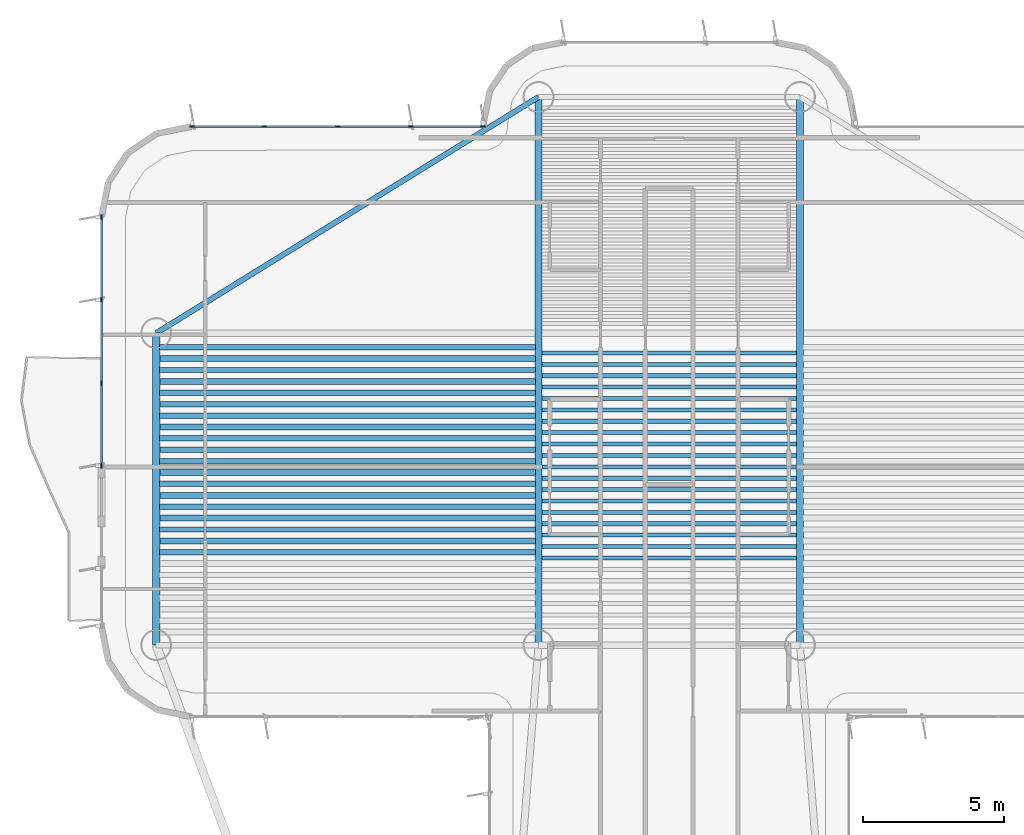
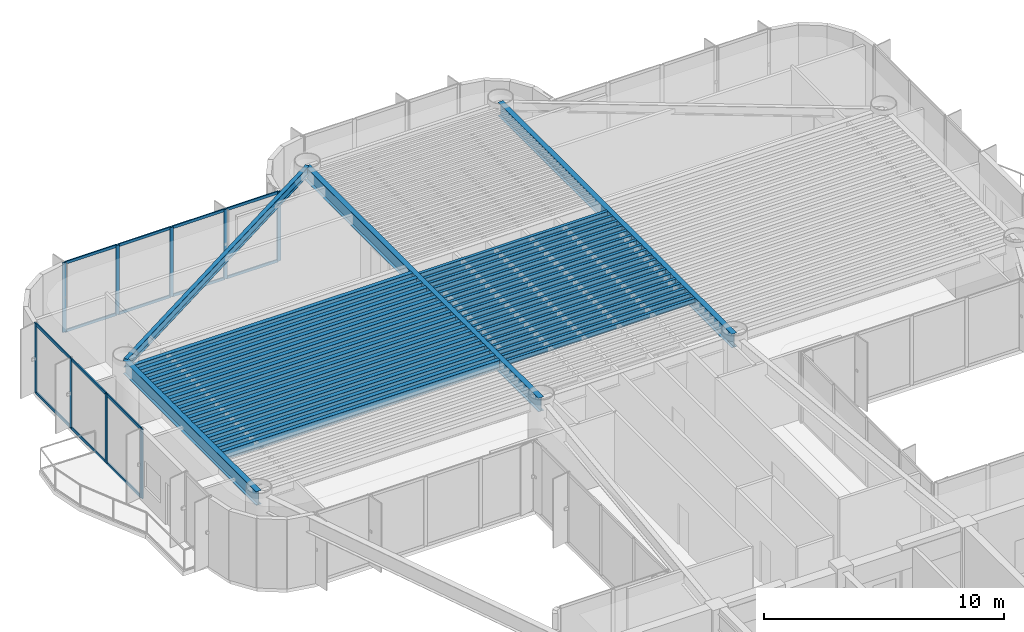
# One storey, part 5 of 15: 42 beams, 23 members, 2 elements without a shape of their own.
"""IFC4 building model written with IfcOpenShell, lengths in metres."""

from ifc_helpers import new_model, si_unit, direction, frame, origin, origin_2d, place, context, subcontext, project, spatial, rectangle, i_section, extrude, source, transform, mapped, material, layer, layer_set, material_profile, profile_set, type_object, element, aggregate, save


model = new_model("IFC4")

# Units and contexts
model_context = context("Model", 3, precision=1e-05, world=origin(), true_north=direction((0.0, 1.0)))
body_context = subcontext(model_context, "Body", "Model", "MODEL_VIEW")
ifc_project = project(units=[si_unit("LENGTHUNIT", "METRE"), si_unit("AREAUNIT", "SQUARE_METRE"), si_unit("VOLUMEUNIT", "CUBIC_METRE"), si_unit("PLANEANGLEUNIT", "RADIAN"), si_unit("MASSUNIT", "GRAM", prefix="KILO")], contexts=[model_context])

# Site, building, storey
site_placement = place(None, origin())
site = spatial("IfcSite", under=ifc_project, at=site_placement, CompositionType="ELEMENT")
building_placement = place(site_placement, origin())
building = spatial("IfcBuilding", under=site, at=building_placement, Name="Brelvock Crest Care Tower", CompositionType="ELEMENT")
storey_placement = place(building_placement, frame((0.0, 0.0, 160.199951171875)))
storey = spatial("IfcBuildingStorey", under=building, at=storey_placement, Name="L40", CompositionType="ELEMENT", Elevation=160.199951171875)

# Beams
ifc_material_1 = material(Name="Steel Grade 350", Category="steel")
ifc_material_profile_1 = material_profile(ifc_material_1, i_section(OverallWidth=0.14599609375, OverallDepth=0.256103515625, WebThickness=0.00634765625, FlangeThickness=0.010986328125, FilletRadius=0.0087890625, at=origin_2d()), Name="250UB37.3")
ifc_profile_set_1 = profile_set([ifc_material_profile_1], Name="Steel Grade 350")
beam_type_1 = type_object("IfcBeamType", Name="BM-J3", PredefinedType="JOIST", material=ifc_profile_set_1)
shared_shape_1 = source(origin(), body_context, "Body", "SweptSolid", [
    extrude(i_section(OverallWidth=0.14599609375, OverallDepth=0.256103515625, WebThickness=0.00634765625, FlangeThickness=0.010986328125, FilletRadius=0.0087890625, at=origin_2d()), origin(), (0.0, 0.0, 1.0), 9.06982421875),
])
for number, where, z_axis, x_axis, name in (
    (1, (31.465087890625, 38.0498046875, 3.402099609375), (1.0, 0.0, 0.0), (0.0, 1.0, 0.0), "BM-JH-L40-7"),
    (2, (31.465087890625, 38.454833984375, 3.402099609375), (1.0, 0.0, 0.0), (0.0, 1.0, 0.0), "BM-JH-L40-8"),
    (3, (31.465087890625, 38.860107421875, 3.402099609375), (1.0, 0.0, 0.0), (0.0, 1.0, 0.0), "BM-JH-L40-9"),
    (4, (31.465087890625, 39.26513671875, 3.402099609375), (1.0, 0.0, 0.0), (0.0, 1.0, 0.0), "BM-JH-L40-10"),
    (5, (31.465087890625, 39.67041015625, 3.402099609375), (1.0, 0.0, 0.0), (0.0, 1.0, 0.0), "BM-JH-L40-11"),
    (6, (31.465087890625, 40.075439453125, 3.402099609375), (1.0, 0.0, 0.0), (0.0, 1.0, 0.0), "BM-JH-L40-12"),
    (7, (31.465087890625, 40.480712890625, 3.402099609375), (1.0, 0.0, 0.0), (0.0, 1.0, 0.0), "BM-JH-L40-13"),
    (8, (31.465087890625, 40.8857421875, 3.402099609375), (1.0, 0.0, 0.0), (0.0, 1.0, 0.0), "BM-JH-L40-14"),
    (9, (31.465087890625, 41.291015625, 3.402099609375), (1.0, 0.0, 0.0), (0.0, 1.0, 0.0), "BM-JH-L40-15"),
    (10, (31.465087890625, 41.696044921875, 3.402099609375), (1.0, 0.0, 0.0), (0.0, 1.0, 0.0), "BM-JH-L40-16"),
    (11, (31.465087890625, 42.101318359375, 3.402099609375), (1.0, 0.0, 0.0), (0.0, 1.0, 0.0), "BM-JH-L40-17"),
    (12, (31.465087890625, 42.50634765625, 3.402099609375), (1.0, 0.0, 0.0), (0.0, 1.0, 0.0), "BM-JH-L40-18"),
    (13, (31.465087890625, 42.91162109375, 3.402099609375), (1.0, 0.0, 0.0), (0.0, 1.0, 0.0), "BM-JH-L40-19"),
    (14, (31.465087890625, 43.316650390625, 3.402099609375), (1.0, 0.0, 0.0), (0.0, 1.0, 0.0), "BM-JH-L40-20"),
    (15, (31.465087890625, 43.7216796875, 3.402099609375), (1.0, 0.0, 0.0), (0.0, 1.0, 0.0), "BM-JH-L40-21"),
    (16, (31.465087890625, 44.126953125, 3.402099609375), (1.0, 0.0, 0.0), (0.0, 1.0, 0.0), "BM-JH-L40-22"),
    (17, (31.465087890625, 44.531982421875, 3.402099609375), (1.0, 0.0, 0.0), (0.0, 1.0, 0.0), "BM-JH-L40-23"),
    (18, (31.465087890625, 44.937255859375, 3.402099609375), (1.0, 0.0, 0.0), (0.0, 1.0, 0.0), "BM-JH-L40-24"),
    (19, (31.465087890625, 45.34228515625, 3.402099609375), (1.0, 0.0, 0.0), (0.0, 1.0, 0.0), "BM-JH-L40-25"),
):
    element("IfcBeam", number, at=place(storey_placement, frame(where, z_axis=z_axis, x_axis=x_axis)), inside=storey, type_object=beam_type_1, Name=name, PredefinedType="JOIST", context=body_context, shape_type="MappedRepresentation", body=[
        mapped(shared_shape_1, transform((0.0, 0.0, 0.0), x_axis=(1.0, 0.0, 0.0), y_axis=(0.0, 1.0, 0.0), z_axis=(0.0, 0.0, 1.0), scale=1.0)),
    ])
ifc_material_profile_2 = material_profile(ifc_material_1, i_section(OverallWidth=0.208984375, OverallDepth=0.532958984375, WebThickness=0.01025390625, FlangeThickness=0.015625, FilletRadius=0.013916015625, at=origin_2d()), Name="530UB92.4")
ifc_profile_set_2 = profile_set([ifc_material_profile_2], Name="Steel Grade 350")
beam_type_2 = type_object("IfcBeamType", Name="BM-G2", PredefinedType="BEAM", material=ifc_profile_set_2)
shared_shape_2 = source(origin(), body_context, "Body", "SweptSolid", [
    extrude(i_section(OverallWidth=0.208984375, OverallDepth=0.532958984375, WebThickness=0.01025390625, FlangeThickness=0.015625, FilletRadius=0.013916015625, at=origin_2d()), origin(), (0.0, 0.0, 1.0), 13.3701171875),
])
for number, where, z_axis, x_axis, name in (
    (20, (17.864990234375, 38.657470703125, 3.263427734375), (1.0, 0.0, 0.0), (0.0, 1.0, 0.0), "BM-JW-L40-9"),
    (21, (17.864990234375, 39.4677734375, 3.263427734375), (1.0, 0.0, 0.0), (0.0, 1.0, 0.0), "BM-JW-L40-11"),
    (22, (17.864990234375, 40.278076171875, 3.263427734375), (1.0, 0.0, 0.0), (0.0, 1.0, 0.0), "BM-JW-L40-13"),
    (23, (17.864990234375, 41.08837890625, 3.263427734375), (1.0, 0.0, 0.0), (0.0, 1.0, 0.0), "BM-JW-L40-15"),
    (24, (17.864990234375, 41.898681640625, 3.263427734375), (1.0, 0.0, 0.0), (0.0, 1.0, 0.0), "BM-JW-L40-17"),
    (25, (17.864990234375, 42.708984375, 3.263427734375), (1.0, 0.0, 0.0), (0.0, 1.0, 0.0), "BM-JW-L40-19"),
    (26, (17.864990234375, 43.519287109375, 3.263427734375), (1.0, 0.0, 0.0), (0.0, 1.0, 0.0), "BM-JW-L40-21"),
    (27, (17.864990234375, 44.32958984375, 3.263427734375), (1.0, 0.0, 0.0), (0.0, 1.0, 0.0), "BM-JW-L40-23"),
    (28, (17.864990234375, 45.139892578125, 3.263427734375), (1.0, 0.0, 0.0), (0.0, 1.0, 0.0), "BM-JW-L40-25"),
):
    element("IfcBeam", number, at=place(storey_placement, frame(where, z_axis=z_axis, x_axis=x_axis)), inside=storey, type_object=beam_type_2, Name=name, PredefinedType="BEAM", context=body_context, shape_type="MappedRepresentation", body=[
        mapped(shared_shape_2, transform((0.0, 0.0, 0.0), x_axis=(1.0, 0.0, 0.0), y_axis=(0.0, 1.0, 0.0), z_axis=(0.0, 0.0, 1.0), scale=1.0)),
    ])
ifc_material_profile_3 = material_profile(ifc_material_1, i_section(OverallWidth=0.19091796875, OverallDepth=0.4599609375, WebThickness=0.010009765625, FlangeThickness=0.01611328125, FilletRadius=0.011474609375, at=origin_2d()), Name="460UB82.1")
ifc_profile_set_3 = profile_set([ifc_material_profile_3], Name="Steel Grade 350")
beam_type_3 = type_object("IfcBeamType", Name="BM-G3", PredefinedType="BEAM", material=ifc_profile_set_3)
shared_shape_3 = source(origin(), body_context, "Body", "SweptSolid", [
    extrude(i_section(OverallWidth=0.19091796875, OverallDepth=0.4599609375, WebThickness=0.010009765625, FlangeThickness=0.01611328125, FilletRadius=0.011474609375, at=origin_2d()), origin(), (0.0, 0.0, 1.0), 13.3701171875),
])
for number, where, z_axis, x_axis, name in (
    (29, (17.864990234375, 38.252197265625, 3.300048828125), (1.0, 0.0, 0.0), (0.0, 1.0, 0.0), "BM-JW-L40-8"),
    (30, (17.864990234375, 39.0625, 3.300048828125), (1.0, 0.0, 0.0), (0.0, 1.0, 0.0), "BM-JW-L40-10"),
    (31, (17.864990234375, 39.872802734375, 3.300048828125), (1.0, 0.0, 0.0), (0.0, 1.0, 0.0), "BM-JW-L40-12"),
    (32, (17.864990234375, 40.68310546875, 3.300048828125), (1.0, 0.0, 0.0), (0.0, 1.0, 0.0), "BM-JW-L40-14"),
    (33, (17.864990234375, 41.493408203125, 3.300048828125), (1.0, 0.0, 0.0), (0.0, 1.0, 0.0), "BM-JW-L40-16"),
    (34, (17.864990234375, 42.3037109375, 3.300048828125), (1.0, 0.0, 0.0), (0.0, 1.0, 0.0), "BM-JW-L40-18"),
    (35, (17.864990234375, 43.114013671875, 3.300048828125), (1.0, 0.0, 0.0), (0.0, 1.0, 0.0), "BM-JW-L40-20"),
    (36, (17.864990234375, 43.92431640625, 3.300048828125), (1.0, 0.0, 0.0), (0.0, 1.0, 0.0), "BM-JW-L40-22"),
    (37, (17.864990234375, 44.734619140625, 3.300048828125), (1.0, 0.0, 0.0), (0.0, 1.0, 0.0), "BM-JW-L40-24"),
    (38, (17.864990234375, 45.544921875, 3.300048828125), (1.0, 0.0, 0.0), (0.0, 1.0, 0.0), "BM-JW-L40-26"),
):
    element("IfcBeam", number, at=place(storey_placement, frame(where, z_axis=z_axis, x_axis=x_axis)), inside=storey, type_object=beam_type_3, Name=name, PredefinedType="BEAM", context=body_context, shape_type="MappedRepresentation", body=[
        mapped(shared_shape_3, transform((0.0, 0.0, 0.0), x_axis=(1.0, 0.0, 0.0), y_axis=(0.0, 1.0, 0.0), z_axis=(0.0, 0.0, 1.0), scale=1.0)),
    ])
ifc_material_profile_4 = material_profile(ifc_material_1, i_section(OverallWidth=0.25, OverallDepth=0.699951171875, WebThickness=0.011962890625, FlangeThickness=0.02001953125, at=origin_2d()), Name="700WB150")
ifc_profile_set_4 = profile_set([ifc_material_profile_4], Name="Steel Grade 350")
beam_type_4 = type_object("IfcBeamType", Name="BM-G4", PredefinedType="BEAM", material=ifc_profile_set_4)
shared_shape_4 = source(origin(), body_context, "Body", "SweptSolid", [
    extrude(i_section(OverallWidth=0.25, OverallDepth=0.699951171875, WebThickness=0.011962890625, FlangeThickness=0.02001953125, at=origin_2d()), origin(), (0.0, 0.0, 1.0), 11.10009765625),
])
beam_1_placement = place(storey_placement, frame((17.75, 34.949951171875, 3.179931640625), z_axis=(0.0, 1.0, 0.0), x_axis=(-1.0, 0.0, 0.0)))
element("IfcBeam", 39, at=beam_1_placement, inside=storey, type_object=beam_type_4, Name="BM-TWR-L40-01", PredefinedType="BEAM", context=body_context, shape_type="MappedRepresentation", body=[
    mapped(shared_shape_4, transform((0.0, 0.0, 0.0), x_axis=(1.0, 0.0, 0.0), y_axis=(0.0, 1.0, 0.0), z_axis=(0.0, 0.0, 1.0), scale=1.0)),
])
ifc_material_profile_5 = material_profile(ifc_material_1, i_section(OverallWidth=0.19091796875, OverallDepth=0.4599609375, WebThickness=0.010009765625, FlangeThickness=0.01611328125, FilletRadius=0.011474609375, at=origin_2d()), Name="460UB82.1")
ifc_profile_set_5 = profile_set([ifc_material_profile_5], Name="Steel Grade 350")
beam_type_5 = type_object("IfcBeamType", Name="BM-SP2", PredefinedType="SPANDREL", material=ifc_profile_set_5)
shared_shape_5 = source(origin(), body_context, "Body", "SweptSolid", [
    extrude(i_section(OverallWidth=0.19091796875, OverallDepth=0.4599609375, WebThickness=0.010009765625, FlangeThickness=0.01611328125, FilletRadius=0.011474609375, at=origin_2d()), origin(), (0.0, 0.0, 1.0), 15.985107421875),
])
beam_2_placement = place(storey_placement, frame((17.75, 46.050048828125, 3.300048828125), z_axis=(0.850802415717, 0.525485727124, 0.0), x_axis=(-0.525485727124, 0.850802415717, 0.0)))
element("IfcBeam", 40, at=beam_2_placement, inside=storey, type_object=beam_type_5, Name="BM-TWR-L40-06", PredefinedType="SPANDREL", context=body_context, shape_type="MappedRepresentation", body=[
    mapped(shared_shape_5, transform((0.0, 0.0, 0.0), x_axis=(1.0, 0.0, 0.0), y_axis=(0.0, 1.0, 0.0), z_axis=(0.0, 0.0, 1.0), scale=1.0)),
])
shared_shape_6 = source(origin(), body_context, "Body", "SweptSolid", [
    extrude(i_section(OverallWidth=0.25, OverallDepth=0.699951171875, WebThickness=0.011962890625, FlangeThickness=0.02001953125, at=origin_2d()), origin(), (0.0, 0.0, 1.0), 19.5),
])
for number, where, z_axis, x_axis, name in (
    (41, (31.35009765625, 34.949951171875, 3.179931640625), (0.0, 1.0, 0.0), (-1.0, 0.0, 0.0), "BM-TWR-L40-09"),
    (42, (40.64990234375, 34.949951171875, 3.179931640625), (0.0, 1.0, 0.0), (-1.0, 0.0, 0.0), "BM-TWR-L40-10"),
):
    element("IfcBeam", number, at=place(storey_placement, frame(where, z_axis=z_axis, x_axis=x_axis)), inside=storey, type_object=beam_type_4, Name=name, PredefinedType="BEAM", context=body_context, shape_type="MappedRepresentation", body=[
        mapped(shared_shape_6, transform((0.0, 0.0, 0.0), x_axis=(1.0, 0.0, 0.0), y_axis=(0.0, 1.0, 0.0), z_axis=(0.0, 0.0, 1.0), scale=1.0)),
    ])

# Curtain wall, members
ifc_material_2 = material(Name="Dark Glass Double Glazed Low-E", Category="glass")
ifc_layer = layer(ifc_material_2, 0.22509765625, Name="CWS-4")
ifc_layer_set = layer_set([ifc_layer], Name="Dark Glass Double Glazed Low-E")
curtain_wall_type = type_object("IfcCurtainWallType", Name="CWS-4", PredefinedType="NOTDEFINED", material=ifc_layer_set)
curtain_wall_1_placement = place(storey_placement, origin())
curtain_wall_1 = element("IfcCurtainWall", 43, at=curtain_wall_1_placement, inside=storey, type_object=curtain_wall_type, Name="L40 Curtain Wall E17B", PredefinedType="NOTDEFINED")
ifc_material_3 = material(Name="Aluminium 6063-T6", Category="aluminium")
ifc_material_profile_6 = material_profile(ifc_material_3, rectangle(XDim=0.06005859375, YDim=0.179931640625, at=origin_2d()), Name="ALU60x180")
ifc_profile_set_6 = profile_set([ifc_material_profile_6], Name="Aluminium 6063-T6")
member_type_1 = type_object("IfcMemberType", Name="CWM-2", PredefinedType="MULLION", material=ifc_profile_set_6)
shared_shape_7 = source(origin(), body_context, "Body", "SweptSolid", [
    extrude(rectangle(XDim=0.06005859375, YDim=0.179931640625, at=origin_2d()), origin(), (0.0, 0.0, 1.0), 3.530029296875),
])
member_1_placement = place(storey_placement, frame((15.800048828125, 41.330078125, 0.0), z_axis=(0.0, 0.0, 1.0), x_axis=(-1.0, 0.0, 0.0)))
member_1 = element("IfcMember", 44, at=member_1_placement, type_object=member_type_1, Name="CW-4 mullion 1", PredefinedType="MULLION", context=body_context, shape_type="MappedRepresentation", body=[
    mapped(shared_shape_7, transform((0.0, 0.0, 0.0), x_axis=(1.0, 0.0, 0.0), y_axis=(0.0, 1.0, 0.0), z_axis=(0.0, 0.0, 1.0), scale=1.0)),
])
member_2_placement = place(storey_placement, frame((15.800048828125, 44.2666015625, 0.0), z_axis=(0.0, 0.0, 1.0), x_axis=(-1.0, 0.0, 0.0)))
member_2 = element("IfcMember", 45, at=member_2_placement, type_object=member_type_1, Name="CW-4 mullion 2", PredefinedType="MULLION", context=body_context, shape_type="MappedRepresentation", body=[
    mapped(shared_shape_7, transform((0.0, 0.0, 0.0), x_axis=(1.0, 0.0, 0.0), y_axis=(0.0, 1.0, 0.0), z_axis=(0.0, 0.0, 1.0), scale=1.0)),
])
member_3_placement = place(storey_placement, frame((15.800048828125, 47.2333984375, 0.0), z_axis=(0.0, 0.0, 1.0), x_axis=(-1.0, 0.0, 0.0)))
member_3 = element("IfcMember", 46, at=member_3_placement, type_object=member_type_1, Name="CW-4 mullion 3", PredefinedType="MULLION", context=body_context, shape_type="MappedRepresentation", body=[
    mapped(shared_shape_7, transform((0.0, 0.0, 0.0), x_axis=(1.0, 0.0, 0.0), y_axis=(0.0, 1.0, 0.0), z_axis=(0.0, 0.0, 1.0), scale=1.0)),
])
member_4_placement = place(storey_placement, frame((15.800048828125, 50.169921875, 0.0), z_axis=(0.0, 0.0, 1.0), x_axis=(-1.0, 0.0, 0.0)))
member_4 = element("IfcMember", 47, at=member_4_placement, type_object=member_type_1, Name="CW-4 mullion 4", PredefinedType="MULLION", context=body_context, shape_type="MappedRepresentation", body=[
    mapped(shared_shape_7, transform((0.0, 0.0, 0.0), x_axis=(1.0, 0.0, 0.0), y_axis=(0.0, 1.0, 0.0), z_axis=(0.0, 0.0, 1.0), scale=1.0)),
])

curtain_wall_2_placement = place(storey_placement, origin())
curtain_wall_2 = element("IfcCurtainWall", 48, at=curtain_wall_2_placement, inside=storey, type_object=curtain_wall_type, Name="L40 Curtain Wall E22", PredefinedType="NOTDEFINED")
member_5_placement = place(storey_placement, frame((19.030029296875, 53.39990234375, 0.0), z_axis=(0.0, 0.0, 1.0), x_axis=(0.0, 1.0, 0.0)))
member_5 = element("IfcMember", 49, at=member_5_placement, type_object=member_type_1, Name="CW-4 mullion 1", PredefinedType="MULLION", context=body_context, shape_type="MappedRepresentation", body=[
    mapped(shared_shape_7, transform((0.0, 0.0, 0.0), x_axis=(1.0, 0.0, 0.0), y_axis=(0.0, 1.0, 0.0), z_axis=(0.0, 0.0, 1.0), scale=1.0)),
])
member_6_placement = place(storey_placement, frame((21.60009765625, 53.39990234375, 0.0), z_axis=(0.0, 0.0, 1.0), x_axis=(0.0, 1.0, 0.0)))
member_6 = element("IfcMember", 50, at=member_6_placement, type_object=member_type_1, Name="CW-4 mullion 2", PredefinedType="MULLION", context=body_context, shape_type="MappedRepresentation", body=[
    mapped(shared_shape_7, transform((0.0, 0.0, 0.0), x_axis=(1.0, 0.0, 0.0), y_axis=(0.0, 1.0, 0.0), z_axis=(0.0, 0.0, 1.0), scale=1.0)),
])
member_7_placement = place(storey_placement, frame((24.199951171875, 53.39990234375, 0.0), z_axis=(0.0, 0.0, 1.0), x_axis=(0.0, 1.0, 0.0)))
member_7 = element("IfcMember", 51, at=member_7_placement, type_object=member_type_1, Name="CW-4 mullion 3", PredefinedType="MULLION", context=body_context, shape_type="MappedRepresentation", body=[
    mapped(shared_shape_7, transform((0.0, 0.0, 0.0), x_axis=(1.0, 0.0, 0.0), y_axis=(0.0, 1.0, 0.0), z_axis=(0.0, 0.0, 1.0), scale=1.0)),
])
member_8_placement = place(storey_placement, frame((26.800048828125, 53.39990234375, 0.0), z_axis=(0.0, 0.0, 1.0), x_axis=(0.0, 1.0, 0.0)))
member_8 = element("IfcMember", 52, at=member_8_placement, type_object=member_type_1, Name="CW-4 mullion 4", PredefinedType="MULLION", context=body_context, shape_type="MappedRepresentation", body=[
    mapped(shared_shape_7, transform((0.0, 0.0, 0.0), x_axis=(1.0, 0.0, 0.0), y_axis=(0.0, 1.0, 0.0), z_axis=(0.0, 0.0, 1.0), scale=1.0)),
])
member_9_placement = place(storey_placement, frame((29.3701171875, 53.39990234375, 0.0), z_axis=(0.0, 0.0, 1.0), x_axis=(0.0, 1.0, 0.0)))
member_9 = element("IfcMember", 53, at=member_9_placement, type_object=member_type_1, Name="CW-4 mullion 5", PredefinedType="MULLION", context=body_context, shape_type="MappedRepresentation", body=[
    mapped(shared_shape_7, transform((0.0, 0.0, 0.0), x_axis=(1.0, 0.0, 0.0), y_axis=(0.0, 1.0, 0.0), z_axis=(0.0, 0.0, 1.0), scale=1.0)),
])

# Member
ifc_material_profile_7 = material_profile(ifc_material_3, rectangle(XDim=0.06005859375, YDim=0.139892578125, at=origin_2d()), Name="ALU60x140")
ifc_profile_set_7 = profile_set([ifc_material_profile_7], Name="Aluminium 6063-T6")
member_type_2 = type_object("IfcMemberType", Name="CWT-2", PredefinedType="USERDEFINED", material=ifc_profile_set_7)
shared_shape_8 = source(origin(), body_context, "Body", "SweptSolid", [
    extrude(rectangle(XDim=0.06005859375, YDim=0.139892578125, at=origin_2d()), origin(), (0.0, 0.0, 1.0), 2.87646484375),
])
member_10_placement = place(storey_placement, frame((15.800048828125, 41.360107421875, 0.030029296875), z_axis=(0.0, 1.0, 0.0), x_axis=(-1.0, 0.0, 0.0)))
member_10 = element("IfcMember", 54, at=member_10_placement, type_object=member_type_2, Name="CW-4 transom 1.1", ObjectType="TRANSOM", PredefinedType="USERDEFINED", context=body_context, shape_type="MappedRepresentation", body=[
    mapped(shared_shape_8, transform((0.0, 0.0, 0.0), x_axis=(1.0, 0.0, 0.0), y_axis=(0.0, 1.0, 0.0), z_axis=(0.0, 0.0, 1.0), scale=1.0)),
])

member_11_placement = place(storey_placement, frame((15.800048828125, 41.360107421875, 3.5), z_axis=(0.0, 1.0, 0.0), x_axis=(-1.0, 0.0, 0.0)))
member_11 = element("IfcMember", 55, at=member_11_placement, type_object=member_type_2, Name="CW-4 transom 1.2", ObjectType="TRANSOM", PredefinedType="USERDEFINED", context=body_context, shape_type="MappedRepresentation", body=[
    mapped(shared_shape_8, transform((0.0, 0.0, 0.0), x_axis=(1.0, 0.0, 0.0), y_axis=(0.0, 1.0, 0.0), z_axis=(0.0, 0.0, 1.0), scale=1.0)),
])

member_12_placement = place(storey_placement, frame((15.800048828125, 47.263427734375, 0.030029296875), z_axis=(0.0, 1.0, 0.0), x_axis=(-1.0, 0.0, 0.0)))
member_12 = element("IfcMember", 56, at=member_12_placement, type_object=member_type_2, Name="CW-4 transom 3.1", ObjectType="TRANSOM", PredefinedType="USERDEFINED", context=body_context, shape_type="MappedRepresentation", body=[
    mapped(shared_shape_8, transform((0.0, 0.0, 0.0), x_axis=(1.0, 0.0, 0.0), y_axis=(0.0, 1.0, 0.0), z_axis=(0.0, 0.0, 1.0), scale=1.0)),
])

member_13_placement = place(storey_placement, frame((15.800048828125, 47.263427734375, 3.5), z_axis=(0.0, 1.0, 0.0), x_axis=(-1.0, 0.0, 0.0)))
member_13 = element("IfcMember", 57, at=member_13_placement, type_object=member_type_2, Name="CW-4 transom 3.2", ObjectType="TRANSOM", PredefinedType="USERDEFINED", context=body_context, shape_type="MappedRepresentation", body=[
    mapped(shared_shape_8, transform((0.0, 0.0, 0.0), x_axis=(1.0, 0.0, 0.0), y_axis=(0.0, 1.0, 0.0), z_axis=(0.0, 0.0, 1.0), scale=1.0)),
])

shared_shape_9 = source(origin(), body_context, "Body", "SweptSolid", [
    extrude(rectangle(XDim=0.06005859375, YDim=0.139892578125, at=origin_2d()), origin(), (0.0, 0.0, 1.0), 2.90673828125),
])
member_14_placement = place(storey_placement, frame((15.800048828125, 44.296630859375, 0.030029296875), z_axis=(0.0, 1.0, 0.0), x_axis=(-1.0, 0.0, 0.0)))
member_14 = element("IfcMember", 58, at=member_14_placement, type_object=member_type_2, Name="CW-4 transom 2.1", ObjectType="TRANSOM", PredefinedType="USERDEFINED", context=body_context, shape_type="MappedRepresentation", body=[
    mapped(shared_shape_9, transform((0.0, 0.0, 0.0), x_axis=(1.0, 0.0, 0.0), y_axis=(0.0, 1.0, 0.0), z_axis=(0.0, 0.0, 1.0), scale=1.0)),
])

member_15_placement = place(storey_placement, frame((15.800048828125, 44.296630859375, 3.5), z_axis=(0.0, 1.0, 0.0), x_axis=(-1.0, 0.0, 0.0)))
member_15 = element("IfcMember", 59, at=member_15_placement, type_object=member_type_2, Name="CW-4 transom 2.2", ObjectType="TRANSOM", PredefinedType="USERDEFINED", context=body_context, shape_type="MappedRepresentation", body=[
    mapped(shared_shape_9, transform((0.0, 0.0, 0.0), x_axis=(1.0, 0.0, 0.0), y_axis=(0.0, 1.0, 0.0), z_axis=(0.0, 0.0, 1.0), scale=1.0)),
])

aggregate(curtain_wall_1, [member_1, member_2, member_3, member_4, member_10, member_11, member_14, member_15, member_12, member_13])

shared_shape_10 = source(origin(), body_context, "Body", "SweptSolid", [
    extrude(rectangle(XDim=0.06005859375, YDim=0.139892578125, at=origin_2d()), origin(), (0.0, 0.0, 1.0), 2.510009765625),
])
member_16_placement = place(storey_placement, frame((19.06005859375, 53.39990234375, 0.030029296875), z_axis=(1.0, 0.0, 0.0), x_axis=(0.0, 1.0, 0.0)))
member_16 = element("IfcMember", 60, at=member_16_placement, type_object=member_type_2, Name="CW-4 transom 1.1", ObjectType="TRANSOM", PredefinedType="USERDEFINED", context=body_context, shape_type="MappedRepresentation", body=[
    mapped(shared_shape_10, transform((0.0, 0.0, 0.0), x_axis=(1.0, 0.0, 0.0), y_axis=(0.0, 1.0, 0.0), z_axis=(0.0, 0.0, 1.0), scale=1.0)),
])

member_17_placement = place(storey_placement, frame((19.06005859375, 53.39990234375, 3.5), z_axis=(1.0, 0.0, 0.0), x_axis=(0.0, 1.0, 0.0)))
member_17 = element("IfcMember", 61, at=member_17_placement, type_object=member_type_2, Name="CW-4 transom 1.2", ObjectType="TRANSOM", PredefinedType="USERDEFINED", context=body_context, shape_type="MappedRepresentation", body=[
    mapped(shared_shape_10, transform((0.0, 0.0, 0.0), x_axis=(1.0, 0.0, 0.0), y_axis=(0.0, 1.0, 0.0), z_axis=(0.0, 0.0, 1.0), scale=1.0)),
])

member_18_placement = place(storey_placement, frame((26.830078125, 53.39990234375, 0.030029296875), z_axis=(1.0, 0.0, 0.0), x_axis=(0.0, 1.0, 0.0)))
member_18 = element("IfcMember", 62, at=member_18_placement, type_object=member_type_2, Name="CW-4 transom 4.1", ObjectType="TRANSOM", PredefinedType="USERDEFINED", context=body_context, shape_type="MappedRepresentation", body=[
    mapped(shared_shape_10, transform((0.0, 0.0, 0.0), x_axis=(1.0, 0.0, 0.0), y_axis=(0.0, 1.0, 0.0), z_axis=(0.0, 0.0, 1.0), scale=1.0)),
])

member_19_placement = place(storey_placement, frame((26.830078125, 53.39990234375, 3.5), z_axis=(1.0, 0.0, 0.0), x_axis=(0.0, 1.0, 0.0)))
member_19 = element("IfcMember", 63, at=member_19_placement, type_object=member_type_2, Name="CW-4 transom 4.2", ObjectType="TRANSOM", PredefinedType="USERDEFINED", context=body_context, shape_type="MappedRepresentation", body=[
    mapped(shared_shape_10, transform((0.0, 0.0, 0.0), x_axis=(1.0, 0.0, 0.0), y_axis=(0.0, 1.0, 0.0), z_axis=(0.0, 0.0, 1.0), scale=1.0)),
])

shared_shape_11 = source(origin(), body_context, "Body", "SweptSolid", [
    extrude(rectangle(XDim=0.06005859375, YDim=0.139892578125, at=origin_2d()), origin(), (0.0, 0.0, 1.0), 2.5400390625),
])
member_20_placement = place(storey_placement, frame((21.6298828125, 53.39990234375, 0.030029296875), z_axis=(1.0, 0.0, 0.0), x_axis=(0.0, 1.0, 0.0)))
member_20 = element("IfcMember", 64, at=member_20_placement, type_object=member_type_2, Name="CW-4 transom 2.1", ObjectType="TRANSOM", PredefinedType="USERDEFINED", context=body_context, shape_type="MappedRepresentation", body=[
    mapped(shared_shape_11, transform((0.0, 0.0, 0.0), x_axis=(1.0, 0.0, 0.0), y_axis=(0.0, 1.0, 0.0), z_axis=(0.0, 0.0, 1.0), scale=1.0)),
])

member_21_placement = place(storey_placement, frame((21.6298828125, 53.39990234375, 3.5), z_axis=(1.0, 0.0, 0.0), x_axis=(0.0, 1.0, 0.0)))
member_21 = element("IfcMember", 65, at=member_21_placement, type_object=member_type_2, Name="CW-4 transom 2.2", ObjectType="TRANSOM", PredefinedType="USERDEFINED", context=body_context, shape_type="MappedRepresentation", body=[
    mapped(shared_shape_11, transform((0.0, 0.0, 0.0), x_axis=(1.0, 0.0, 0.0), y_axis=(0.0, 1.0, 0.0), z_axis=(0.0, 0.0, 1.0), scale=1.0)),
])

member_22_placement = place(storey_placement, frame((24.22998046875, 53.39990234375, 0.030029296875), z_axis=(1.0, 0.0, 0.0), x_axis=(0.0, 1.0, 0.0)))
member_22 = element("IfcMember", 66, at=member_22_placement, type_object=member_type_2, Name="CW-4 transom 3.1", ObjectType="TRANSOM", PredefinedType="USERDEFINED", context=body_context, shape_type="MappedRepresentation", body=[
    mapped(shared_shape_11, transform((0.0, 0.0, 0.0), x_axis=(1.0, 0.0, 0.0), y_axis=(0.0, 1.0, 0.0), z_axis=(0.0, 0.0, 1.0), scale=1.0)),
])

member_23_placement = place(storey_placement, frame((24.22998046875, 53.39990234375, 3.5), z_axis=(1.0, 0.0, 0.0), x_axis=(0.0, 1.0, 0.0)))
member_23 = element("IfcMember", 67, at=member_23_placement, type_object=member_type_2, Name="CW-4 transom 3.2", ObjectType="TRANSOM", PredefinedType="USERDEFINED", context=body_context, shape_type="MappedRepresentation", body=[
    mapped(shared_shape_11, transform((0.0, 0.0, 0.0), x_axis=(1.0, 0.0, 0.0), y_axis=(0.0, 1.0, 0.0), z_axis=(0.0, 0.0, 1.0), scale=1.0)),
])

aggregate(curtain_wall_2, [member_5, member_6, member_7, member_8, member_9, member_16, member_17, member_20, member_21, member_22, member_23, member_18, member_19])

save(model, "model.ifc")
